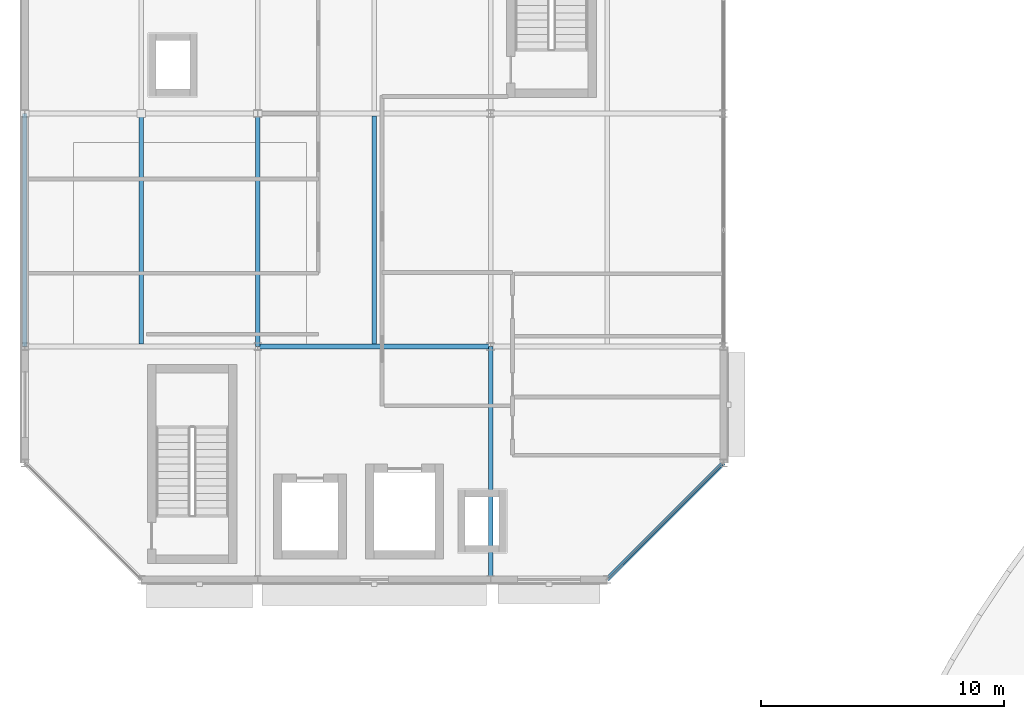
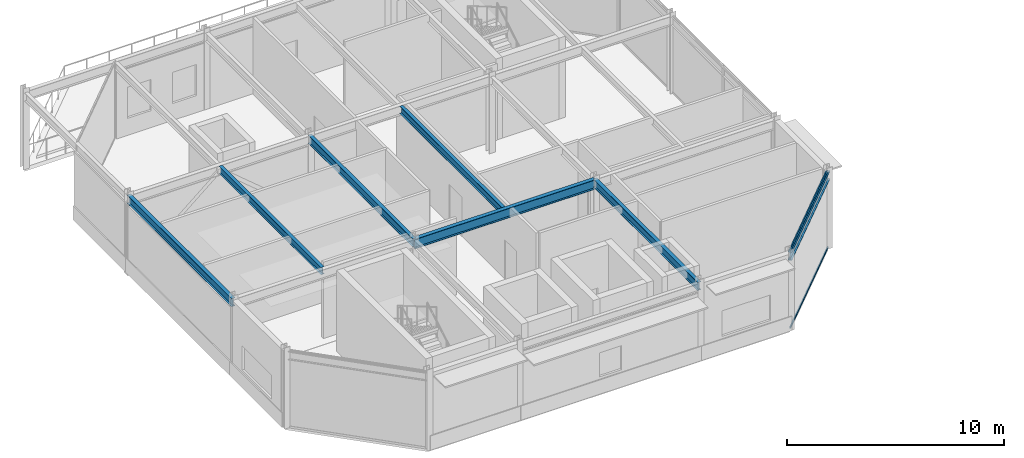
# One storey, part 9 of 50: 7 beams, 2 members, 1 element without a shape of its own.
"""IFC4 building model written with IfcOpenShell, lengths in metres."""

from ifc_helpers import new_model, si_unit, direction, frame, origin, origin_2d, place, context, subcontext, project, spatial, hollow_rectangle, i_section, extrude, material, material_profile, profile_set, type_object, element, aggregate, save


model = new_model("IFC4")

# Units and contexts
model_context = context("Model", 3, precision=1e-05, world=origin(), true_north=direction((0.0, 1.0)))
body_context = subcontext(model_context, "Body", "Model", "MODEL_VIEW")
ifc_project = project(units=[si_unit("LENGTHUNIT", "METRE"), si_unit("AREAUNIT", "SQUARE_METRE"), si_unit("VOLUMEUNIT", "CUBIC_METRE"), si_unit("PLANEANGLEUNIT", "RADIAN"), si_unit("MASSUNIT", "GRAM", prefix="KILO")], contexts=[model_context])

# Site, building, storey
site_placement = place(None, origin())
site = spatial("IfcSite", under=ifc_project, at=site_placement, CompositionType="ELEMENT")
building_placement = place(site_placement, origin())
building = spatial("IfcBuilding", under=site, at=building_placement, Name="Almandine Court Research Institute", CompositionType="ELEMENT")
storey_placement = place(building_placement, frame((0.0, 0.0, 23.449951171875)))
storey = spatial("IfcBuildingStorey", under=building, at=storey_placement, Name="L05", CompositionType="ELEMENT", Elevation=23.449951171875)

# Beams
ifc_material_1 = material(Name="Steel ASTM A992 Grade 50", Category="steel")
ifc_material_profile_1 = material_profile(ifc_material_1, i_section(OverallWidth=0.18994140625, OverallDepth=0.45703125, WebThickness=0.009033203125, FlangeThickness=0.014892578125, at=origin_2d()), Name="W460x74")
ifc_profile_set_1 = profile_set([ifc_material_profile_1], Name="Steel ASTM A992 Grade 50")
beam_type_1 = type_object("IfcBeamType", Name="Beam-B-01", PredefinedType="BEAM", material=ifc_profile_set_1)
beam_1_placement = place(storey_placement, frame((25.199951171875, 84.0, 4.080078125), z_axis=(0.0, 1.0, 0.0), x_axis=(-1.0, 0.0, 0.0)))
element("IfcBeam", 1, at=beam_1_placement, inside=storey, type_object=beam_type_1, Name="L05 V3 Primary Y Girder", PredefinedType="BEAM", context=body_context, shape_type="SweptSolid", body=[
    extrude(i_section(OverallWidth=0.18994140625, OverallDepth=0.45703125, WebThickness=0.009033203125, FlangeThickness=0.014892578125, at=origin_2d()), origin(), (0.0, 0.0, 1.0), 9.60009765625),
])
beam_2_placement = place(storey_placement, frame((15.60009765625, 93.60009765625, 4.080078125), z_axis=(0.0, 1.0, 0.0), x_axis=(-1.0, 0.0, 0.0)))
element("IfcBeam", 2, at=beam_2_placement, inside=storey, type_object=beam_type_1, Name="L05 V3 Primary Y Girder", PredefinedType="BEAM", context=body_context, shape_type="SweptSolid", body=[
    extrude(i_section(OverallWidth=0.18994140625, OverallDepth=0.45703125, WebThickness=0.009033203125, FlangeThickness=0.014892578125, at=origin_2d()), origin(), (0.0, 0.0, 1.0), 9.599853515625),
])
ifc_material_profile_2 = material_profile(ifc_material_1, i_section(OverallWidth=0.178955078125, OverallDepth=0.409912109375, WebThickness=0.009033203125, FlangeThickness=0.013916015625, at=origin_2d()), Name="W410x67")
ifc_profile_set_2 = profile_set([ifc_material_profile_2], Name="Steel ASTM A992 Grade 50")
beam_type_2 = type_object("IfcBeamType", Name="Beam-B-02", PredefinedType="JOIST", material=ifc_profile_set_2)
for number, where, z_axis, x_axis, name in (
    (3, (10.800048828125, 93.702880859375, 4.10302734375), (0.0, 1.0, 0.0), (-1.0, 0.0, 0.0), "L05 V3 Composite Secondary Beam"),
    (4, (20.39990234375, 93.702880859375, 4.10302734375), (0.0, 1.0, 0.0), (-1.0, 0.0, 0.0), "L05 V3 Composite Secondary Beam"),
):
    element("IfcBeam", number, at=place(storey_placement, frame(where, z_axis=z_axis, x_axis=x_axis)), inside=storey, type_object=beam_type_2, Name=name, PredefinedType="JOIST", context=body_context, shape_type="SweptSolid", body=[
        extrude(i_section(OverallWidth=0.178955078125, OverallDepth=0.409912109375, WebThickness=0.009033203125, FlangeThickness=0.013916015625, at=origin_2d()), origin(), (0.0, 0.0, 1.0), 9.39404296875),
    ])
ifc_material_profile_3 = material_profile(ifc_material_1, i_section(OverallWidth=0.2109375, OverallDepth=0.5390625, WebThickness=0.011962890625, FlangeThickness=0.01904296875, at=origin_2d()), Name="W530x109")
ifc_profile_set_3 = profile_set([ifc_material_profile_3], Name="Steel ASTM A992 Grade 50")
beam_type_3 = type_object("IfcBeamType", Name="Beam-G-04", PredefinedType="BEAM", material=ifc_profile_set_3)
beam_3_placement = place(storey_placement, frame((15.60009765625, 93.60009765625, 4.0390625), z_axis=(1.0, 0.0, 0.0), x_axis=(0.0, 1.0, 0.0)))
element("IfcBeam", 5, at=beam_3_placement, inside=storey, type_object=beam_type_3, Name="L05 V3 Primary X Girder", PredefinedType="BEAM", context=body_context, shape_type="SweptSolid", body=[
    extrude(i_section(OverallWidth=0.2109375, OverallDepth=0.5390625, WebThickness=0.011962890625, FlangeThickness=0.01904296875, at=origin_2d()), origin(), (0.0, 0.0, 1.0), 9.599853515625),
])
ifc_material_profile_4 = material_profile(ifc_material_1, i_section(OverallWidth=0.193115234375, OverallDepth=0.466064453125, WebThickness=0.010986328125, FlangeThickness=0.01904296875, at=origin_2d()), Name="W460x97")
ifc_profile_set_4 = profile_set([ifc_material_profile_4], Name="Steel ASTM A992 Grade 50")
beam_type_4 = type_object("IfcBeamType", Name="Beam-G-06-E", PredefinedType="SPANDREL", material=ifc_profile_set_4)
beam_4_placement = place(storey_placement, frame((6.0, 93.60009765625, 4.074951171875), z_axis=(0.0, 1.0, 0.0), x_axis=(-1.0, 0.0, 0.0)))
element("IfcBeam", 6, at=beam_4_placement, inside=storey, type_object=beam_type_4, Name="L05 V3 Primary Y Girder", PredefinedType="SPANDREL", context=body_context, shape_type="SweptSolid", body=[
    extrude(i_section(OverallWidth=0.193115234375, OverallDepth=0.466064453125, WebThickness=0.010986328125, FlangeThickness=0.01904296875, at=origin_2d()), origin(), (0.0, 0.0, 1.0), 9.599853515625),
])
beam_5_placement = place(storey_placement, frame((30.0, 84.0, 4.074951171875), z_axis=(0.707106781187, 0.707106781187, 0.0), x_axis=(-0.707106781187, 0.707106781187, 0.0)))
element("IfcBeam", 7, at=beam_5_placement, inside=storey, type_object=beam_type_4, Name="L05 V3 Octagonal Chamfer Spandrel", PredefinedType="SPANDREL", context=body_context, shape_type="SweptSolid", body=[
    extrude(i_section(OverallWidth=0.193115234375, OverallDepth=0.466064453125, WebThickness=0.010986328125, FlangeThickness=0.01904296875, at=origin_2d()), origin(), (0.0, 0.0, 1.0), 6.788330078125),
])

# Curtain wall, members
ifc_material_2 = material(Name="Unitised Curtain Wall Framing and Solar Glazing", Category="glass")
curtain_wall_type = type_object("IfcCurtainWallType", Name="CW-CWG-10", PredefinedType="USERDEFINED", material=ifc_material_2)
curtain_wall_placement = place(storey_placement, origin())
curtain_wall = element("IfcCurtainWall", 8, at=curtain_wall_placement, inside=storey, type_object=curtain_wall_type, Name="L05 Cleanroom SE Chamfer Glazing", ObjectType="UNITISED GLAZING", PredefinedType="USERDEFINED")
ifc_material_3 = material(Name="Anodised Aluminium AW-6063-T6", Category="aluminium")
ifc_material_profile_5 = material_profile(ifc_material_3, hollow_rectangle(XDim=0.06005859375, YDim=0.110107421875, WallThickness=0.00390625, at=origin_2d()), Name="ALU RHS 60x110x4")
ifc_profile_set_5 = profile_set([ifc_material_profile_5], Name="Anodised Aluminium AW-6063-T6")
member_type = type_object("IfcMemberType", Name="CWTrn-60x110", PredefinedType="NOTDEFINED", material=ifc_profile_set_5)
member_1_placement = place(storey_placement, frame((34.753662109375, 88.753662109375, 0.030029296875), z_axis=(-0.707106781187, -0.707106781187, 0.0), x_axis=(0.707106781187, -0.707106781187, 0.0)))
member_1 = element("IfcMember", 9, at=member_1_placement, type_object=member_type, Name="CWG-10 transom 1.1", ObjectType="TRANSOM", PredefinedType="USERDEFINED", context=body_context, shape_type="SweptSolid", body=[
    extrude(hollow_rectangle(XDim=0.06005859375, YDim=0.110107421875, WallThickness=0.00390625, at=origin_2d()), origin(), (0.0, 0.0, 1.0), 6.656982421875),
])
member_2_placement = place(storey_placement, frame((34.753662109375, 88.753662109375, 4.280029296875), z_axis=(-0.707106781187, -0.707106781187, 0.0), x_axis=(0.707106781187, -0.707106781187, 0.0)))
member_2 = element("IfcMember", 10, at=member_2_placement, type_object=member_type, Name="CWG-10 transom 1.2", ObjectType="TRANSOM", PredefinedType="USERDEFINED", context=body_context, shape_type="SweptSolid", body=[
    extrude(hollow_rectangle(XDim=0.06005859375, YDim=0.110107421875, WallThickness=0.00390625, at=origin_2d()), origin(), (0.0, 0.0, 1.0), 6.656982421875),
])
aggregate(curtain_wall, [member_1, member_2])

save(model, "model.ifc")
